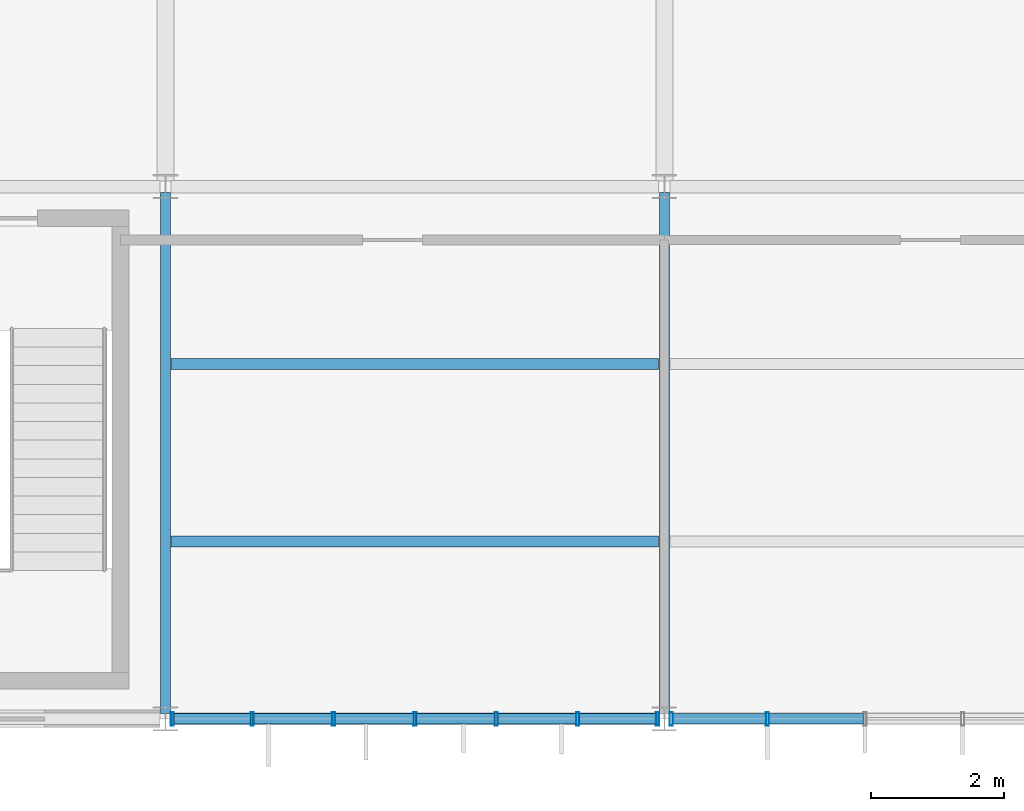
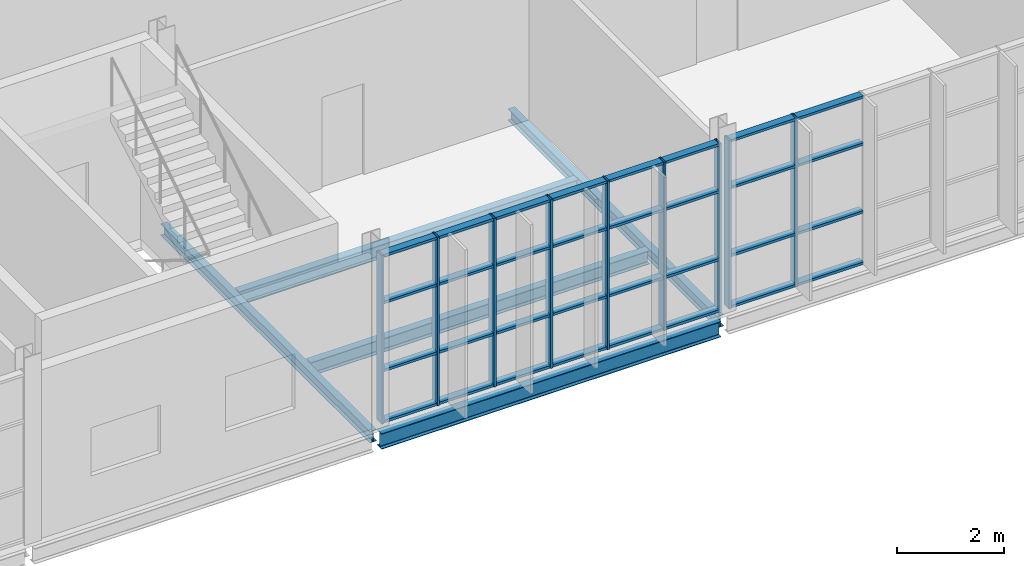
# One storey, part 26 of 324: 41 members, 5 beams, 2 elements without a shape of their own.
"""IFC4 building model written with IfcOpenShell, lengths in metres."""

from ifc_helpers import new_model, si_unit, direction, frame, origin, origin_2d, place, context, subcontext, project, spatial, hollow_rectangle, i_section, extrude, material, layer, layer_set, material_profile, profile_set, type_object, element, aggregate, save


model = new_model("IFC4")

# Units and contexts
model_context = context("Model", 3, precision=1e-05, world=origin(), true_north=direction((0.0, 1.0)))
body_context = subcontext(model_context, "Body", "Model", "MODEL_VIEW")
ifc_project = project(units=[si_unit("LENGTHUNIT", "METRE"), si_unit("AREAUNIT", "SQUARE_METRE"), si_unit("VOLUMEUNIT", "CUBIC_METRE"), si_unit("PLANEANGLEUNIT", "RADIAN"), si_unit("MASSUNIT", "GRAM", prefix="KILO")], contexts=[model_context])

# Site, building, storey
site_placement = place(None, origin())
site = spatial("IfcSite", under=ifc_project, at=site_placement, CompositionType="ELEMENT")
building_placement = place(site_placement, origin())
building = spatial("IfcBuilding", under=site, at=building_placement, Name="Solvenia Promenade Tram Depot", CompositionType="ELEMENT")
storey_placement = place(building_placement, frame((0.0, 0.0, 4.5)))
storey = spatial("IfcBuildingStorey", under=building, at=storey_placement, Name="L01", CompositionType="ELEMENT", Elevation=4.5)

# Curtain wall, members
ifc_material_1 = material(Name="Anodized aluminium AW-6063 T6", Category="aluminium")
ifc_layer_1 = layer(ifc_material_1, 0.179931640625, Name="Anodized aluminium AW-6063 T6", Category="aluminium")
ifc_layer_set_1 = layer_set([ifc_layer_1], Name="Anodized aluminium AW-6063 T6")
curtain_wall_type_1 = type_object("IfcCurtainWallType", Name="CW-Solar-1250", PredefinedType="NOTDEFINED", material=ifc_layer_set_1)
curtain_wall_1_placement = place(storey_placement, origin())
curtain_wall_1 = element("IfcCurtainWall", 1, at=curtain_wall_1_placement, inside=storey, type_object=curtain_wall_type_1, Name="Curtain Wall CW-V4S-L01-05", PredefinedType="NOTDEFINED")
ifc_material_profile_1 = material_profile(ifc_material_1, hollow_rectangle(XDim=0.199951171875, YDim=0.048095703125, WallThickness=0.00390625, at=origin_2d()), Name="ALU-M3", Category="aluminium")
ifc_profile_set_1 = profile_set([ifc_material_profile_1], Name="Anodized aluminium AW-6063 T6")
member_type_1 = type_object("IfcMemberType", Name="CWM-Mullion-3", PredefinedType="MULLION", material=ifc_profile_set_1)
member_1_placement = place(storey_placement, frame((37.60400390625, 0.0, 0.0), z_axis=(0.0, 0.0, 1.0), x_axis=(0.0, 1.0, 0.0)))
member_1 = element("IfcMember", 2, at=member_1_placement, type_object=member_type_1, Name="CW-6 mullion 1", PredefinedType="MULLION", context=body_context, shape_type="SweptSolid", body=[
    extrude(hollow_rectangle(XDim=0.199951171875, YDim=0.048095703125, WallThickness=0.00390625, at=origin_2d()), origin(), (0.0, 0.0, 1.0), 3.85009765625),
])
member_2_placement = place(storey_placement, frame((38.80322265625, 0.0, 0.0), z_axis=(0.0, 0.0, 1.0), x_axis=(0.0, 1.0, 0.0)))
member_2 = element("IfcMember", 3, at=member_2_placement, type_object=member_type_1, Name="CW-6 mullion 2", PredefinedType="MULLION", context=body_context, shape_type="SweptSolid", body=[
    extrude(hollow_rectangle(XDim=0.199951171875, YDim=0.048095703125, WallThickness=0.00390625, at=origin_2d()), origin(), (0.0, 0.0, 1.0), 3.85009765625),
])
member_3_placement = place(storey_placement, frame((40.026611328125, 0.0, 0.0), z_axis=(0.0, 0.0, 1.0), x_axis=(0.0, 1.0, 0.0)))
member_3 = element("IfcMember", 4, at=member_3_placement, type_object=member_type_1, Name="CW-6 mullion 3", PredefinedType="MULLION", context=body_context, shape_type="SweptSolid", body=[
    extrude(hollow_rectangle(XDim=0.199951171875, YDim=0.048095703125, WallThickness=0.00390625, at=origin_2d()), origin(), (0.0, 0.0, 1.0), 3.85009765625),
])
member_4_placement = place(storey_placement, frame((41.25, 0.0, 0.0), z_axis=(0.0, 0.0, 1.0), x_axis=(0.0, 1.0, 0.0)))
member_4 = element("IfcMember", 5, at=member_4_placement, type_object=member_type_1, Name="CW-6 mullion 4", PredefinedType="MULLION", context=body_context, shape_type="SweptSolid", body=[
    extrude(hollow_rectangle(XDim=0.199951171875, YDim=0.048095703125, WallThickness=0.00390625, at=origin_2d()), origin(), (0.0, 0.0, 1.0), 3.85009765625),
])
member_5_placement = place(storey_placement, frame((42.473388671875, 0.0, 0.0), z_axis=(0.0, 0.0, 1.0), x_axis=(0.0, 1.0, 0.0)))
member_5 = element("IfcMember", 6, at=member_5_placement, type_object=member_type_1, Name="CW-6 mullion 5", PredefinedType="MULLION", context=body_context, shape_type="SweptSolid", body=[
    extrude(hollow_rectangle(XDim=0.199951171875, YDim=0.048095703125, WallThickness=0.00390625, at=origin_2d()), origin(), (0.0, 0.0, 1.0), 3.85009765625),
])
member_6_placement = place(storey_placement, frame((43.69677734375, 0.0, 0.0), z_axis=(0.0, 0.0, 1.0), x_axis=(0.0, 1.0, 0.0)))
member_6 = element("IfcMember", 7, at=member_6_placement, type_object=member_type_1, Name="CW-6 mullion 6", PredefinedType="MULLION", context=body_context, shape_type="SweptSolid", body=[
    extrude(hollow_rectangle(XDim=0.199951171875, YDim=0.048095703125, WallThickness=0.00390625, at=origin_2d()), origin(), (0.0, 0.0, 1.0), 3.85009765625),
])
member_7_placement = place(storey_placement, frame((44.89599609375, 0.0, 0.0), z_axis=(0.0, 0.0, 1.0), x_axis=(0.0, 1.0, 0.0)))
member_7 = element("IfcMember", 8, at=member_7_placement, type_object=member_type_1, Name="CW-6 mullion 7", PredefinedType="MULLION", context=body_context, shape_type="SweptSolid", body=[
    extrude(hollow_rectangle(XDim=0.199951171875, YDim=0.048095703125, WallThickness=0.00390625, at=origin_2d()), origin(), (0.0, 0.0, 1.0), 3.85009765625),
])

ifc_layer_2 = layer(ifc_material_1, 0.179931640625, Name="Anodized aluminium AW-6063 T6", Category="aluminium")
ifc_layer_set_2 = layer_set([ifc_layer_2], Name="Anodized aluminium AW-6063 T6")
curtain_wall_type_2 = type_object("IfcCurtainWallType", Name="CW-Solar-1500", PredefinedType="NOTDEFINED", material=ifc_layer_set_2)
curtain_wall_2_placement = place(storey_placement, origin())
curtain_wall_2 = element("IfcCurtainWall", 9, at=curtain_wall_2_placement, inside=storey, type_object=curtain_wall_type_2, Name="Curtain Wall CW-V4S-L01-06", PredefinedType="NOTDEFINED")
member_8_placement = place(storey_placement, frame((45.10400390625, 0.0, 0.0), z_axis=(0.0, 0.0, 1.0), x_axis=(0.0, 1.0, 0.0)))
member_8 = element("IfcMember", 10, at=member_8_placement, type_object=member_type_1, Name="CW-7 mullion 1", PredefinedType="MULLION", context=body_context, shape_type="SweptSolid", body=[
    extrude(hollow_rectangle(XDim=0.199951171875, YDim=0.048095703125, WallThickness=0.00390625, at=origin_2d()), origin(), (0.0, 0.0, 1.0), 3.85009765625),
])
member_9_placement = place(storey_placement, frame((46.548095703125, 0.0, 0.0), z_axis=(0.0, 0.0, 1.0), x_axis=(0.0, 1.0, 0.0)))
member_9 = element("IfcMember", 11, at=member_9_placement, type_object=member_type_1, Name="CW-7 mullion 2", PredefinedType="MULLION", context=body_context, shape_type="SweptSolid", body=[
    extrude(hollow_rectangle(XDim=0.199951171875, YDim=0.048095703125, WallThickness=0.00390625, at=origin_2d()), origin(), (0.0, 0.0, 1.0), 3.85009765625),
])

# Member
ifc_material_profile_2 = material_profile(ifc_material_1, hollow_rectangle(XDim=0.159912109375, YDim=0.05810546875, WallThickness=0.00390625, at=origin_2d()), Name="ALU-T3", Category="aluminium")
ifc_profile_set_2 = profile_set([ifc_material_profile_2], Name="Anodized aluminium AW-6063 T6")
member_type_2 = type_object("IfcMemberType", Name="CWT-Transom-3", PredefinedType="USERDEFINED", material=ifc_profile_set_2)
member_10_placement = place(storey_placement, frame((37.6279296875, 0.0, 0.029052734375), z_axis=(1.0, 0.0, 0.0), x_axis=(0.0, 1.0, 0.0)))
member_10 = element("IfcMember", 12, at=member_10_placement, type_object=member_type_2, Name="CW-6 transom 1.1", ObjectType="TRANSOM", PredefinedType="USERDEFINED", context=body_context, shape_type="SweptSolid", body=[
    extrude(hollow_rectangle(XDim=0.159912109375, YDim=0.05810546875, WallThickness=0.00390625, at=origin_2d()), origin(), (0.0, 0.0, 1.0), 1.1513671875),
])

member_11_placement = place(storey_placement, frame((37.6279296875, 0.0, 1.199951171875), z_axis=(1.0, 0.0, 0.0), x_axis=(0.0, 1.0, 0.0)))
member_11 = element("IfcMember", 13, at=member_11_placement, type_object=member_type_2, Name="CW-6 transom 1.2", ObjectType="TRANSOM", PredefinedType="USERDEFINED", context=body_context, shape_type="SweptSolid", body=[
    extrude(hollow_rectangle(XDim=0.159912109375, YDim=0.05810546875, WallThickness=0.00390625, at=origin_2d()), origin(), (0.0, 0.0, 1.0), 1.1513671875),
])

member_12_placement = place(storey_placement, frame((37.6279296875, 0.0, 2.75), z_axis=(1.0, 0.0, 0.0), x_axis=(0.0, 1.0, 0.0)))
member_12 = element("IfcMember", 14, at=member_12_placement, type_object=member_type_2, Name="CW-6 transom 1.3", ObjectType="TRANSOM", PredefinedType="USERDEFINED", context=body_context, shape_type="SweptSolid", body=[
    extrude(hollow_rectangle(XDim=0.159912109375, YDim=0.05810546875, WallThickness=0.00390625, at=origin_2d()), origin(), (0.0, 0.0, 1.0), 1.1513671875),
])

member_13_placement = place(storey_placement, frame((37.6279296875, 0.0, 3.821044921875), z_axis=(1.0, 0.0, 0.0), x_axis=(0.0, 1.0, 0.0)))
member_13 = element("IfcMember", 15, at=member_13_placement, type_object=member_type_2, Name="CW-6 transom 1.4", ObjectType="TRANSOM", PredefinedType="USERDEFINED", context=body_context, shape_type="SweptSolid", body=[
    extrude(hollow_rectangle(XDim=0.159912109375, YDim=0.05810546875, WallThickness=0.00390625, at=origin_2d()), origin(), (0.0, 0.0, 1.0), 1.1513671875),
])

member_14_placement = place(storey_placement, frame((38.827392578125, 0.0, 0.029052734375), z_axis=(1.0, 0.0, 0.0), x_axis=(0.0, 1.0, 0.0)))
member_14 = element("IfcMember", 16, at=member_14_placement, type_object=member_type_2, Name="CW-6 transom 2.1", ObjectType="TRANSOM", PredefinedType="USERDEFINED", context=body_context, shape_type="SweptSolid", body=[
    extrude(hollow_rectangle(XDim=0.159912109375, YDim=0.05810546875, WallThickness=0.00390625, at=origin_2d()), origin(), (0.0, 0.0, 1.0), 1.17529296875),
])

member_15_placement = place(storey_placement, frame((38.827392578125, 0.0, 1.199951171875), z_axis=(1.0, 0.0, 0.0), x_axis=(0.0, 1.0, 0.0)))
member_15 = element("IfcMember", 17, at=member_15_placement, type_object=member_type_2, Name="CW-6 transom 2.2", ObjectType="TRANSOM", PredefinedType="USERDEFINED", context=body_context, shape_type="SweptSolid", body=[
    extrude(hollow_rectangle(XDim=0.159912109375, YDim=0.05810546875, WallThickness=0.00390625, at=origin_2d()), origin(), (0.0, 0.0, 1.0), 1.17529296875),
])

member_16_placement = place(storey_placement, frame((38.827392578125, 0.0, 2.75), z_axis=(1.0, 0.0, 0.0), x_axis=(0.0, 1.0, 0.0)))
member_16 = element("IfcMember", 18, at=member_16_placement, type_object=member_type_2, Name="CW-6 transom 2.3", ObjectType="TRANSOM", PredefinedType="USERDEFINED", context=body_context, shape_type="SweptSolid", body=[
    extrude(hollow_rectangle(XDim=0.159912109375, YDim=0.05810546875, WallThickness=0.00390625, at=origin_2d()), origin(), (0.0, 0.0, 1.0), 1.17529296875),
])

member_17_placement = place(storey_placement, frame((38.827392578125, 0.0, 3.821044921875), z_axis=(1.0, 0.0, 0.0), x_axis=(0.0, 1.0, 0.0)))
member_17 = element("IfcMember", 19, at=member_17_placement, type_object=member_type_2, Name="CW-6 transom 2.4", ObjectType="TRANSOM", PredefinedType="USERDEFINED", context=body_context, shape_type="SweptSolid", body=[
    extrude(hollow_rectangle(XDim=0.159912109375, YDim=0.05810546875, WallThickness=0.00390625, at=origin_2d()), origin(), (0.0, 0.0, 1.0), 1.17529296875),
])

member_18_placement = place(storey_placement, frame((40.05078125, 0.0, 0.029052734375), z_axis=(1.0, 0.0, 0.0), x_axis=(0.0, 1.0, 0.0)))
member_18 = element("IfcMember", 20, at=member_18_placement, type_object=member_type_2, Name="CW-6 transom 3.1", ObjectType="TRANSOM", PredefinedType="USERDEFINED", context=body_context, shape_type="SweptSolid", body=[
    extrude(hollow_rectangle(XDim=0.159912109375, YDim=0.05810546875, WallThickness=0.00390625, at=origin_2d()), origin(), (0.0, 0.0, 1.0), 1.17529296875),
])

member_19_placement = place(storey_placement, frame((40.05078125, 0.0, 1.199951171875), z_axis=(1.0, 0.0, 0.0), x_axis=(0.0, 1.0, 0.0)))
member_19 = element("IfcMember", 21, at=member_19_placement, type_object=member_type_2, Name="CW-6 transom 3.2", ObjectType="TRANSOM", PredefinedType="USERDEFINED", context=body_context, shape_type="SweptSolid", body=[
    extrude(hollow_rectangle(XDim=0.159912109375, YDim=0.05810546875, WallThickness=0.00390625, at=origin_2d()), origin(), (0.0, 0.0, 1.0), 1.17529296875),
])

member_20_placement = place(storey_placement, frame((40.05078125, 0.0, 2.75), z_axis=(1.0, 0.0, 0.0), x_axis=(0.0, 1.0, 0.0)))
member_20 = element("IfcMember", 22, at=member_20_placement, type_object=member_type_2, Name="CW-6 transom 3.3", ObjectType="TRANSOM", PredefinedType="USERDEFINED", context=body_context, shape_type="SweptSolid", body=[
    extrude(hollow_rectangle(XDim=0.159912109375, YDim=0.05810546875, WallThickness=0.00390625, at=origin_2d()), origin(), (0.0, 0.0, 1.0), 1.17529296875),
])

member_21_placement = place(storey_placement, frame((40.05078125, 0.0, 3.821044921875), z_axis=(1.0, 0.0, 0.0), x_axis=(0.0, 1.0, 0.0)))
member_21 = element("IfcMember", 23, at=member_21_placement, type_object=member_type_2, Name="CW-6 transom 3.4", ObjectType="TRANSOM", PredefinedType="USERDEFINED", context=body_context, shape_type="SweptSolid", body=[
    extrude(hollow_rectangle(XDim=0.159912109375, YDim=0.05810546875, WallThickness=0.00390625, at=origin_2d()), origin(), (0.0, 0.0, 1.0), 1.17529296875),
])

member_22_placement = place(storey_placement, frame((41.27392578125, 0.0, 0.029052734375), z_axis=(1.0, 0.0, 0.0), x_axis=(0.0, 1.0, 0.0)))
member_22 = element("IfcMember", 24, at=member_22_placement, type_object=member_type_2, Name="CW-6 transom 4.1", ObjectType="TRANSOM", PredefinedType="USERDEFINED", context=body_context, shape_type="SweptSolid", body=[
    extrude(hollow_rectangle(XDim=0.159912109375, YDim=0.05810546875, WallThickness=0.00390625, at=origin_2d()), origin(), (0.0, 0.0, 1.0), 1.17529296875),
])

member_23_placement = place(storey_placement, frame((41.27392578125, 0.0, 1.199951171875), z_axis=(1.0, 0.0, 0.0), x_axis=(0.0, 1.0, 0.0)))
member_23 = element("IfcMember", 25, at=member_23_placement, type_object=member_type_2, Name="CW-6 transom 4.2", ObjectType="TRANSOM", PredefinedType="USERDEFINED", context=body_context, shape_type="SweptSolid", body=[
    extrude(hollow_rectangle(XDim=0.159912109375, YDim=0.05810546875, WallThickness=0.00390625, at=origin_2d()), origin(), (0.0, 0.0, 1.0), 1.17529296875),
])

member_24_placement = place(storey_placement, frame((41.27392578125, 0.0, 2.75), z_axis=(1.0, 0.0, 0.0), x_axis=(0.0, 1.0, 0.0)))
member_24 = element("IfcMember", 26, at=member_24_placement, type_object=member_type_2, Name="CW-6 transom 4.3", ObjectType="TRANSOM", PredefinedType="USERDEFINED", context=body_context, shape_type="SweptSolid", body=[
    extrude(hollow_rectangle(XDim=0.159912109375, YDim=0.05810546875, WallThickness=0.00390625, at=origin_2d()), origin(), (0.0, 0.0, 1.0), 1.17529296875),
])

member_25_placement = place(storey_placement, frame((41.27392578125, 0.0, 3.821044921875), z_axis=(1.0, 0.0, 0.0), x_axis=(0.0, 1.0, 0.0)))
member_25 = element("IfcMember", 27, at=member_25_placement, type_object=member_type_2, Name="CW-6 transom 4.4", ObjectType="TRANSOM", PredefinedType="USERDEFINED", context=body_context, shape_type="SweptSolid", body=[
    extrude(hollow_rectangle(XDim=0.159912109375, YDim=0.05810546875, WallThickness=0.00390625, at=origin_2d()), origin(), (0.0, 0.0, 1.0), 1.17529296875),
])

member_26_placement = place(storey_placement, frame((42.497314453125, 0.0, 0.029052734375), z_axis=(1.0, 0.0, 0.0), x_axis=(0.0, 1.0, 0.0)))
member_26 = element("IfcMember", 28, at=member_26_placement, type_object=member_type_2, Name="CW-6 transom 5.1", ObjectType="TRANSOM", PredefinedType="USERDEFINED", context=body_context, shape_type="SweptSolid", body=[
    extrude(hollow_rectangle(XDim=0.159912109375, YDim=0.05810546875, WallThickness=0.00390625, at=origin_2d()), origin(), (0.0, 0.0, 1.0), 1.17529296875),
])

member_27_placement = place(storey_placement, frame((42.497314453125, 0.0, 1.199951171875), z_axis=(1.0, 0.0, 0.0), x_axis=(0.0, 1.0, 0.0)))
member_27 = element("IfcMember", 29, at=member_27_placement, type_object=member_type_2, Name="CW-6 transom 5.2", ObjectType="TRANSOM", PredefinedType="USERDEFINED", context=body_context, shape_type="SweptSolid", body=[
    extrude(hollow_rectangle(XDim=0.159912109375, YDim=0.05810546875, WallThickness=0.00390625, at=origin_2d()), origin(), (0.0, 0.0, 1.0), 1.17529296875),
])

member_28_placement = place(storey_placement, frame((42.497314453125, 0.0, 2.75), z_axis=(1.0, 0.0, 0.0), x_axis=(0.0, 1.0, 0.0)))
member_28 = element("IfcMember", 30, at=member_28_placement, type_object=member_type_2, Name="CW-6 transom 5.3", ObjectType="TRANSOM", PredefinedType="USERDEFINED", context=body_context, shape_type="SweptSolid", body=[
    extrude(hollow_rectangle(XDim=0.159912109375, YDim=0.05810546875, WallThickness=0.00390625, at=origin_2d()), origin(), (0.0, 0.0, 1.0), 1.17529296875),
])

member_29_placement = place(storey_placement, frame((42.497314453125, 0.0, 3.821044921875), z_axis=(1.0, 0.0, 0.0), x_axis=(0.0, 1.0, 0.0)))
member_29 = element("IfcMember", 31, at=member_29_placement, type_object=member_type_2, Name="CW-6 transom 5.4", ObjectType="TRANSOM", PredefinedType="USERDEFINED", context=body_context, shape_type="SweptSolid", body=[
    extrude(hollow_rectangle(XDim=0.159912109375, YDim=0.05810546875, WallThickness=0.00390625, at=origin_2d()), origin(), (0.0, 0.0, 1.0), 1.17529296875),
])

member_30_placement = place(storey_placement, frame((43.720703125, 0.0, 0.029052734375), z_axis=(1.0, 0.0, 0.0), x_axis=(0.0, 1.0, 0.0)))
member_30 = element("IfcMember", 32, at=member_30_placement, type_object=member_type_2, Name="CW-6 transom 6.1", ObjectType="TRANSOM", PredefinedType="USERDEFINED", context=body_context, shape_type="SweptSolid", body=[
    extrude(hollow_rectangle(XDim=0.159912109375, YDim=0.05810546875, WallThickness=0.00390625, at=origin_2d()), origin(), (0.0, 0.0, 1.0), 1.1513671875),
])

member_31_placement = place(storey_placement, frame((43.720703125, 0.0, 1.199951171875), z_axis=(1.0, 0.0, 0.0), x_axis=(0.0, 1.0, 0.0)))
member_31 = element("IfcMember", 33, at=member_31_placement, type_object=member_type_2, Name="CW-6 transom 6.2", ObjectType="TRANSOM", PredefinedType="USERDEFINED", context=body_context, shape_type="SweptSolid", body=[
    extrude(hollow_rectangle(XDim=0.159912109375, YDim=0.05810546875, WallThickness=0.00390625, at=origin_2d()), origin(), (0.0, 0.0, 1.0), 1.1513671875),
])

member_32_placement = place(storey_placement, frame((43.720703125, 0.0, 2.75), z_axis=(1.0, 0.0, 0.0), x_axis=(0.0, 1.0, 0.0)))
member_32 = element("IfcMember", 34, at=member_32_placement, type_object=member_type_2, Name="CW-6 transom 6.3", ObjectType="TRANSOM", PredefinedType="USERDEFINED", context=body_context, shape_type="SweptSolid", body=[
    extrude(hollow_rectangle(XDim=0.159912109375, YDim=0.05810546875, WallThickness=0.00390625, at=origin_2d()), origin(), (0.0, 0.0, 1.0), 1.1513671875),
])

member_33_placement = place(storey_placement, frame((43.720703125, 0.0, 3.821044921875), z_axis=(1.0, 0.0, 0.0), x_axis=(0.0, 1.0, 0.0)))
member_33 = element("IfcMember", 35, at=member_33_placement, type_object=member_type_2, Name="CW-6 transom 6.4", ObjectType="TRANSOM", PredefinedType="USERDEFINED", context=body_context, shape_type="SweptSolid", body=[
    extrude(hollow_rectangle(XDim=0.159912109375, YDim=0.05810546875, WallThickness=0.00390625, at=origin_2d()), origin(), (0.0, 0.0, 1.0), 1.1513671875),
])

aggregate(curtain_wall_1, [member_1, member_2, member_3, member_4, member_5, member_6, member_7, member_10, member_11, member_12, member_13, member_14, member_15, member_16, member_17, member_18, member_19, member_20, member_21, member_22, member_23, member_24, member_25, member_26, member_27, member_28, member_29, member_30, member_31, member_32, member_33])

member_34_placement = place(storey_placement, frame((45.1279296875, 0.0, 0.029052734375), z_axis=(1.0, 0.0, 0.0), x_axis=(0.0, 1.0, 0.0)))
member_34 = element("IfcMember", 36, at=member_34_placement, type_object=member_type_2, Name="CW-7 transom 1.1", ObjectType="TRANSOM", PredefinedType="USERDEFINED", context=body_context, shape_type="SweptSolid", body=[
    extrude(hollow_rectangle(XDim=0.159912109375, YDim=0.05810546875, WallThickness=0.00390625, at=origin_2d()), origin(), (0.0, 0.0, 1.0), 1.39599609375),
])

member_35_placement = place(storey_placement, frame((45.1279296875, 0.0, 1.199951171875), z_axis=(1.0, 0.0, 0.0), x_axis=(0.0, 1.0, 0.0)))
member_35 = element("IfcMember", 37, at=member_35_placement, type_object=member_type_2, Name="CW-7 transom 1.2", ObjectType="TRANSOM", PredefinedType="USERDEFINED", context=body_context, shape_type="SweptSolid", body=[
    extrude(hollow_rectangle(XDim=0.159912109375, YDim=0.05810546875, WallThickness=0.00390625, at=origin_2d()), origin(), (0.0, 0.0, 1.0), 1.39599609375),
])

member_36_placement = place(storey_placement, frame((45.1279296875, 0.0, 2.75), z_axis=(1.0, 0.0, 0.0), x_axis=(0.0, 1.0, 0.0)))
member_36 = element("IfcMember", 38, at=member_36_placement, type_object=member_type_2, Name="CW-7 transom 1.3", ObjectType="TRANSOM", PredefinedType="USERDEFINED", context=body_context, shape_type="SweptSolid", body=[
    extrude(hollow_rectangle(XDim=0.159912109375, YDim=0.05810546875, WallThickness=0.00390625, at=origin_2d()), origin(), (0.0, 0.0, 1.0), 1.39599609375),
])

member_37_placement = place(storey_placement, frame((45.1279296875, 0.0, 3.821044921875), z_axis=(1.0, 0.0, 0.0), x_axis=(0.0, 1.0, 0.0)))
member_37 = element("IfcMember", 39, at=member_37_placement, type_object=member_type_2, Name="CW-7 transom 1.4", ObjectType="TRANSOM", PredefinedType="USERDEFINED", context=body_context, shape_type="SweptSolid", body=[
    extrude(hollow_rectangle(XDim=0.159912109375, YDim=0.05810546875, WallThickness=0.00390625, at=origin_2d()), origin(), (0.0, 0.0, 1.0), 1.39599609375),
])

member_38_placement = place(storey_placement, frame((46.572021484375, 0.0, 0.029052734375), z_axis=(1.0, 0.0, 0.0), x_axis=(0.0, 1.0, 0.0)))
member_38 = element("IfcMember", 40, at=member_38_placement, type_object=member_type_2, Name="CW-7 transom 2.1", ObjectType="TRANSOM", PredefinedType="USERDEFINED", context=body_context, shape_type="SweptSolid", body=[
    extrude(hollow_rectangle(XDim=0.159912109375, YDim=0.05810546875, WallThickness=0.00390625, at=origin_2d()), origin(), (0.0, 0.0, 1.0), 1.419921875),
])

member_39_placement = place(storey_placement, frame((46.572021484375, 0.0, 1.199951171875), z_axis=(1.0, 0.0, 0.0), x_axis=(0.0, 1.0, 0.0)))
member_39 = element("IfcMember", 41, at=member_39_placement, type_object=member_type_2, Name="CW-7 transom 2.2", ObjectType="TRANSOM", PredefinedType="USERDEFINED", context=body_context, shape_type="SweptSolid", body=[
    extrude(hollow_rectangle(XDim=0.159912109375, YDim=0.05810546875, WallThickness=0.00390625, at=origin_2d()), origin(), (0.0, 0.0, 1.0), 1.419921875),
])

member_40_placement = place(storey_placement, frame((46.572021484375, 0.0, 2.75), z_axis=(1.0, 0.0, 0.0), x_axis=(0.0, 1.0, 0.0)))
member_40 = element("IfcMember", 42, at=member_40_placement, type_object=member_type_2, Name="CW-7 transom 2.3", ObjectType="TRANSOM", PredefinedType="USERDEFINED", context=body_context, shape_type="SweptSolid", body=[
    extrude(hollow_rectangle(XDim=0.159912109375, YDim=0.05810546875, WallThickness=0.00390625, at=origin_2d()), origin(), (0.0, 0.0, 1.0), 1.419921875),
])

member_41_placement = place(storey_placement, frame((46.572021484375, 0.0, 3.821044921875), z_axis=(1.0, 0.0, 0.0), x_axis=(0.0, 1.0, 0.0)))
member_41 = element("IfcMember", 43, at=member_41_placement, type_object=member_type_2, Name="CW-7 transom 2.4", ObjectType="TRANSOM", PredefinedType="USERDEFINED", context=body_context, shape_type="SweptSolid", body=[
    extrude(hollow_rectangle(XDim=0.159912109375, YDim=0.05810546875, WallThickness=0.00390625, at=origin_2d()), origin(), (0.0, 0.0, 1.0), 1.419921875),
])

aggregate(curtain_wall_2, [member_8, member_9, member_34, member_35, member_36, member_37, member_38, member_39, member_40, member_41])

# Beams
ifc_material_2 = material(Name="Structural steel ASTM A992 Gr. 50", Category="steel")
ifc_material_profile_3 = material_profile(ifc_material_2, i_section(OverallWidth=0.14697265625, OverallDepth=0.261962890625, WebThickness=0.006591796875, FlangeThickness=0.01123046875, FilletRadius=0.010009765625, at=origin_2d()), Name="W250x39", Category="steel")
ifc_profile_set_3 = profile_set([ifc_material_profile_3], Name="Structural steel ASTM A992 Gr. 50")
beam_type_1 = type_object("IfcBeamType", Name="Joist-W250x39", PredefinedType="JOIST", material=ifc_profile_set_3)
for number, where, z_axis, x_axis, name in (
    (44, (37.5, 0.0849609375, -0.35107421875), (0.0, 1.0, 0.0), (-1.0, 0.0, 0.0), "Transverse Girder BM-L01-0339"),
    (45, (45.0, 0.0849609375, -0.35107421875), (0.0, 1.0, 0.0), (-1.0, 0.0, 0.0), "Transverse Girder BM-L01-0341"),
):
    element("IfcBeam", number, at=place(storey_placement, frame(where, z_axis=z_axis, x_axis=x_axis)), inside=storey, type_object=beam_type_1, Name=name, PredefinedType="JOIST", context=body_context, shape_type="SweptSolid", body=[
        extrude(i_section(OverallWidth=0.14697265625, OverallDepth=0.261962890625, WebThickness=0.006591796875, FlangeThickness=0.01123046875, FilletRadius=0.010009765625, at=origin_2d()), origin(), (0.0, 0.0, 1.0), 7.830078125),
    ])
ifc_material_profile_4 = material_profile(ifc_material_2, i_section(OverallWidth=0.166015625, OverallDepth=0.31298828125, WebThickness=0.006591796875, FlangeThickness=0.01123046875, FilletRadius=0.010009765625, at=origin_2d()), Name="W310x45", Category="steel")
ifc_profile_set_4 = profile_set([ifc_material_profile_4], Name="Structural steel ASTM A992 Gr. 50")
beam_type_2 = type_object("IfcBeamType", Name="Joist-W310x45", PredefinedType="JOIST", material=ifc_profile_set_4)
for number, where, z_axis, x_axis, name in (
    (46, (37.5849609375, 2.666748046875, -0.37646484375), (1.0, 0.0, 0.0), (0.0, 1.0, 0.0), "Secondary Floor Joist BM-L01-0380"),
    (47, (37.5849609375, 5.333251953125, -0.37646484375), (1.0, 0.0, 0.0), (0.0, 1.0, 0.0), "Secondary Floor Joist BM-L01-0381"),
):
    element("IfcBeam", number, at=place(storey_placement, frame(where, z_axis=z_axis, x_axis=x_axis)), inside=storey, type_object=beam_type_2, Name=name, PredefinedType="JOIST", context=body_context, shape_type="SweptSolid", body=[
        extrude(i_section(OverallWidth=0.166015625, OverallDepth=0.31298828125, WebThickness=0.006591796875, FlangeThickness=0.01123046875, FilletRadius=0.010009765625, at=origin_2d()), origin(), (0.0, 0.0, 1.0), 7.330078125),
    ])
ifc_material_profile_5 = material_profile(ifc_material_2, i_section(OverallWidth=0.172119140625, OverallDepth=0.35791015625, WebThickness=0.0078125, FlangeThickness=0.01318359375, FilletRadius=0.010986328125, at=origin_2d()), Name="W360x57", Category="steel")
ifc_profile_set_5 = profile_set([ifc_material_profile_5], Name="Structural steel ASTM A992 Gr. 50")
beam_type_3 = type_object("IfcBeamType", Name="Spandrel-W360x57", PredefinedType="SPANDREL", material=ifc_profile_set_5)
beam_placement = place(storey_placement, frame((37.5849609375, 0.0, -0.39892578125), z_axis=(1.0, 0.0, 0.0), x_axis=(0.0, 1.0, 0.0)))
element("IfcBeam", 48, at=beam_placement, inside=storey, type_object=beam_type_3, Name="Perimeter Spandrel BM-L01-0306", PredefinedType="SPANDREL", context=body_context, shape_type="SweptSolid", body=[
    extrude(i_section(OverallWidth=0.172119140625, OverallDepth=0.35791015625, WebThickness=0.0078125, FlangeThickness=0.01318359375, FilletRadius=0.010986328125, at=origin_2d()), origin(), (0.0, 0.0, 1.0), 7.330078125),
])

save(model, "model.ifc")
